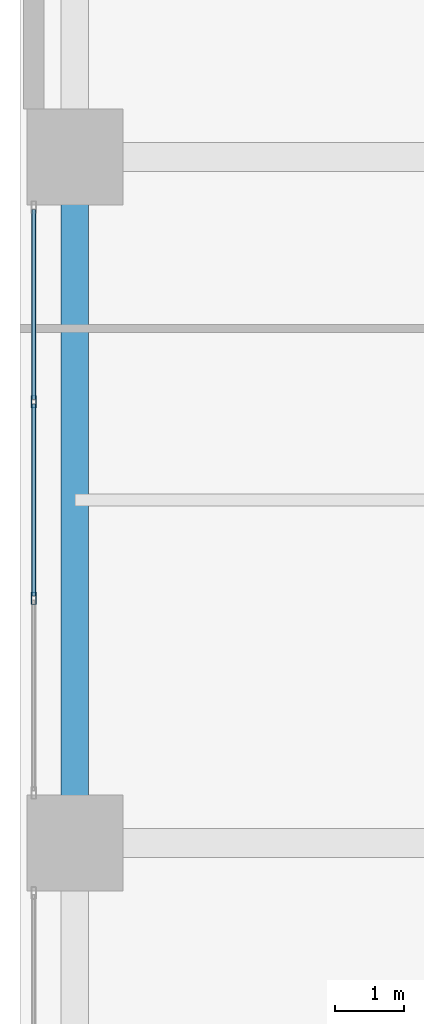
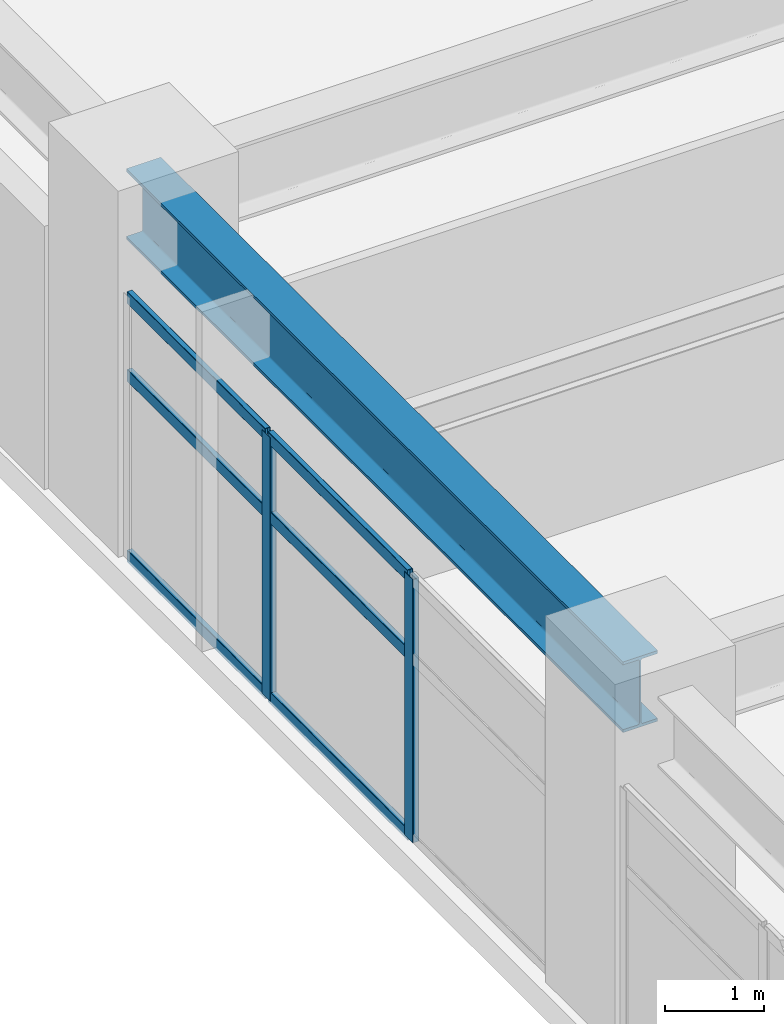
# One storey, part 9 of 28: 8 members, 1 beam, 1 element without a shape of its own.
"""IFC4 building model written with IfcOpenShell, lengths in metres."""

from ifc_helpers import new_model, si_unit, direction, frame, origin, origin_2d, place, context, subcontext, project, spatial, hollow_rectangle, i_section, extrude, material, layer, layer_set, material_profile, profile_set, type_object, element, aggregate, save


model = new_model("IFC4")

# Units and contexts
model_context = context("Model", 3, precision=1e-05, world=origin(), true_north=direction((0.0, 1.0)))
body_context = subcontext(model_context, "Body", "Model", "MODEL_VIEW")
ifc_project = project(units=[si_unit("LENGTHUNIT", "METRE"), si_unit("AREAUNIT", "SQUARE_METRE"), si_unit("VOLUMEUNIT", "CUBIC_METRE"), si_unit("PLANEANGLEUNIT", "RADIAN"), si_unit("MASSUNIT", "GRAM", prefix="KILO")], contexts=[model_context])

# Site, building, storey
site_placement = place(None, origin())
site = spatial("IfcSite", under=ifc_project, at=site_placement, CompositionType="ELEMENT")
building_placement = place(site_placement, origin())
building = spatial("IfcBuilding", under=site, at=building_placement, Name="Soratama Intermodal Tower", CompositionType="ELEMENT")
storey_placement = place(building_placement, frame((0.0, 0.0, 16.199951171875)))
storey = spatial("IfcBuildingStorey", under=building, at=storey_placement, Name="L03", CompositionType="ELEMENT", Elevation=16.199951171875)

# Beam
ifc_material_1 = material(Name="Structural steel ASTM A992 Grade 50", Category="steel")
ifc_material_profile_1 = material_profile(ifc_material_1, i_section(OverallWidth=0.403076171875, OverallDepth=0.867919921875, WebThickness=0.02099609375, FlangeThickness=0.03564453125, FilletRadius=0.01806640625, at=origin_2d()), Name="W33X241")
ifc_profile_set_1 = profile_set([ifc_material_profile_1], Name="Structural steel ASTM A992 Grade 50")
beam_type = type_object("IfcBeamType", Name="BM-POD-EXT-W33", PredefinedType="BEAM", material=ifc_profile_set_1)
beam_placement = place(storey_placement, frame((0.800048828125, 25.0, 3.74609375), z_axis=(0.0, 1.0, 0.0), x_axis=(-1.0, 0.0, 0.0)))
element("IfcBeam", 1, at=beam_placement, inside=storey, type_object=beam_type, Name="L03 Station Girder Y1-3", PredefinedType="BEAM", context=body_context, shape_type="SweptSolid", body=[
    extrude(i_section(OverallWidth=0.403076171875, OverallDepth=0.867919921875, WebThickness=0.02099609375, FlangeThickness=0.03564453125, FilletRadius=0.01806640625, at=origin_2d()), origin(), (0.0, 0.0, 1.0), 10.0),
])

# Curtain wall, members
ifc_material_2 = material(Name="Double-glazed aluminium curtain wall", Category="aluminium")
ifc_layer = layer(ifc_material_2, 0.159912109375)
ifc_layer_set = layer_set([ifc_layer], Name="Double-glazed aluminium curtain wall")
curtain_wall_type = type_object("IfcCurtainWallType", Name="CW-SYS-1", PredefinedType="NOTDEFINED", material=ifc_layer_set)
curtain_wall_placement = place(storey_placement, origin())
curtain_wall = element("IfcCurtainWall", 2, at=curtain_wall_placement, inside=storey, type_object=curtain_wall_type, Name="L03 Station Curtain Wall W2", PredefinedType="NOTDEFINED")
ifc_material_3 = material(Name="Anodised aluminium AA 6063-T6", Category="aluminium")
ifc_material_profile_2 = material_profile(ifc_material_3, hollow_rectangle(XDim=0.074951171875, YDim=0.179931640625, WallThickness=0.006103515625, InnerFilletRadius=0.006103515625, OuterFilletRadius=0.011962890625, at=origin_2d()), Name="CWM180X75X6")
ifc_profile_set_2 = profile_set([ifc_material_profile_2], Name="Anodised aluminium AA 6063-T6")
member_type_1 = type_object("IfcMemberType", Name="MT-CWM-1", PredefinedType="MULLION", material=ifc_profile_set_2)
member_1_placement = place(storey_placement, frame((0.199951171875, 28.566650390625, 0.0), z_axis=(0.0, 0.0, 1.0), x_axis=(-1.0, 0.0, 0.0)))
member_1 = element("IfcMember", 3, at=member_1_placement, type_object=member_type_1, Name="CW-1 mullion 2", PredefinedType="MULLION", context=body_context, shape_type="SweptSolid", body=[
    extrude(hollow_rectangle(XDim=0.074951171875, YDim=0.179931640625, WallThickness=0.006103515625, InnerFilletRadius=0.006103515625, OuterFilletRadius=0.011962890625, at=origin_2d()), origin(), (0.0, 0.0, 1.0), 3.236083984375),
])
member_2_placement = place(storey_placement, frame((0.199951171875, 31.433349609375, 0.0), z_axis=(0.0, 0.0, 1.0), x_axis=(-1.0, 0.0, 0.0)))
member_2 = element("IfcMember", 4, at=member_2_placement, type_object=member_type_1, Name="CW-1 mullion 3", PredefinedType="MULLION", context=body_context, shape_type="SweptSolid", body=[
    extrude(hollow_rectangle(XDim=0.074951171875, YDim=0.179931640625, WallThickness=0.006103515625, InnerFilletRadius=0.006103515625, OuterFilletRadius=0.011962890625, at=origin_2d()), origin(), (0.0, 0.0, 1.0), 3.236083984375),
])
ifc_material_4 = material(Name="Anodised aluminium AA 6063-T6", Category="aluminium")
ifc_material_profile_3 = material_profile(ifc_material_4, hollow_rectangle(XDim=0.06494140625, YDim=0.14990234375, WallThickness=0.0048828125, InnerFilletRadius=0.0048828125, OuterFilletRadius=0.010009765625, at=origin_2d()), Name="CWT150X65X5")
ifc_profile_set_3 = profile_set([ifc_material_profile_3], Name="Anodised aluminium AA 6063-T6")
member_type_2 = type_object("IfcMemberType", Name="TT-CWT-1", PredefinedType="USERDEFINED", material=ifc_profile_set_3)
member_3_placement = place(storey_placement, frame((0.199951171875, 28.5966796875, 0.030029296875), z_axis=(0.0, 1.0, 0.0), x_axis=(-1.0, 0.0, 0.0)))
member_3 = element("IfcMember", 5, at=member_3_placement, type_object=member_type_2, Name="CW-1 transom 2.1", ObjectType="TRANSOM", PredefinedType="USERDEFINED", context=body_context, shape_type="SweptSolid", body=[
    extrude(hollow_rectangle(XDim=0.06494140625, YDim=0.14990234375, WallThickness=0.0048828125, InnerFilletRadius=0.0048828125, OuterFilletRadius=0.010009765625, at=origin_2d()), origin(), (0.0, 0.0, 1.0), 2.806640625),
])
member_4_placement = place(storey_placement, frame((0.199951171875, 28.5966796875, 2.25), z_axis=(0.0, 1.0, 0.0), x_axis=(-1.0, 0.0, 0.0)))
member_4 = element("IfcMember", 6, at=member_4_placement, type_object=member_type_2, Name="CW-1 transom 2.2", ObjectType="TRANSOM", PredefinedType="USERDEFINED", context=body_context, shape_type="SweptSolid", body=[
    extrude(hollow_rectangle(XDim=0.06494140625, YDim=0.14990234375, WallThickness=0.0048828125, InnerFilletRadius=0.0048828125, OuterFilletRadius=0.010009765625, at=origin_2d()), origin(), (0.0, 0.0, 1.0), 2.806640625),
])
member_5_placement = place(storey_placement, frame((0.199951171875, 28.5966796875, 3.2060546875), z_axis=(0.0, 1.0, 0.0), x_axis=(-1.0, 0.0, 0.0)))
member_5 = element("IfcMember", 7, at=member_5_placement, type_object=member_type_2, Name="CW-1 transom 2.3", ObjectType="TRANSOM", PredefinedType="USERDEFINED", context=body_context, shape_type="SweptSolid", body=[
    extrude(hollow_rectangle(XDim=0.06494140625, YDim=0.14990234375, WallThickness=0.0048828125, InnerFilletRadius=0.0048828125, OuterFilletRadius=0.010009765625, at=origin_2d()), origin(), (0.0, 0.0, 1.0), 2.806640625),
])
member_6_placement = place(storey_placement, frame((0.199951171875, 31.46337890625, 0.030029296875), z_axis=(0.0, 1.0, 0.0), x_axis=(-1.0, 0.0, 0.0)))
member_6 = element("IfcMember", 8, at=member_6_placement, type_object=member_type_2, Name="CW-1 transom 3.1", ObjectType="TRANSOM", PredefinedType="USERDEFINED", context=body_context, shape_type="SweptSolid", body=[
    extrude(hollow_rectangle(XDim=0.06494140625, YDim=0.14990234375, WallThickness=0.0048828125, InnerFilletRadius=0.0048828125, OuterFilletRadius=0.010009765625, at=origin_2d()), origin(), (0.0, 0.0, 1.0), 2.776611328125),
])
member_7_placement = place(storey_placement, frame((0.199951171875, 31.46337890625, 2.25), z_axis=(0.0, 1.0, 0.0), x_axis=(-1.0, 0.0, 0.0)))
member_7 = element("IfcMember", 9, at=member_7_placement, type_object=member_type_2, Name="CW-1 transom 3.2", ObjectType="TRANSOM", PredefinedType="USERDEFINED", context=body_context, shape_type="SweptSolid", body=[
    extrude(hollow_rectangle(XDim=0.06494140625, YDim=0.14990234375, WallThickness=0.0048828125, InnerFilletRadius=0.0048828125, OuterFilletRadius=0.010009765625, at=origin_2d()), origin(), (0.0, 0.0, 1.0), 2.776611328125),
])
member_8_placement = place(storey_placement, frame((0.199951171875, 31.46337890625, 3.2060546875), z_axis=(0.0, 1.0, 0.0), x_axis=(-1.0, 0.0, 0.0)))
member_8 = element("IfcMember", 10, at=member_8_placement, type_object=member_type_2, Name="CW-1 transom 3.3", ObjectType="TRANSOM", PredefinedType="USERDEFINED", context=body_context, shape_type="SweptSolid", body=[
    extrude(hollow_rectangle(XDim=0.06494140625, YDim=0.14990234375, WallThickness=0.0048828125, InnerFilletRadius=0.0048828125, OuterFilletRadius=0.010009765625, at=origin_2d()), origin(), (0.0, 0.0, 1.0), 2.776611328125),
])
aggregate(curtain_wall, [member_1, member_2, member_3, member_4, member_5, member_6, member_7, member_8])

save(model, "model.ifc")
